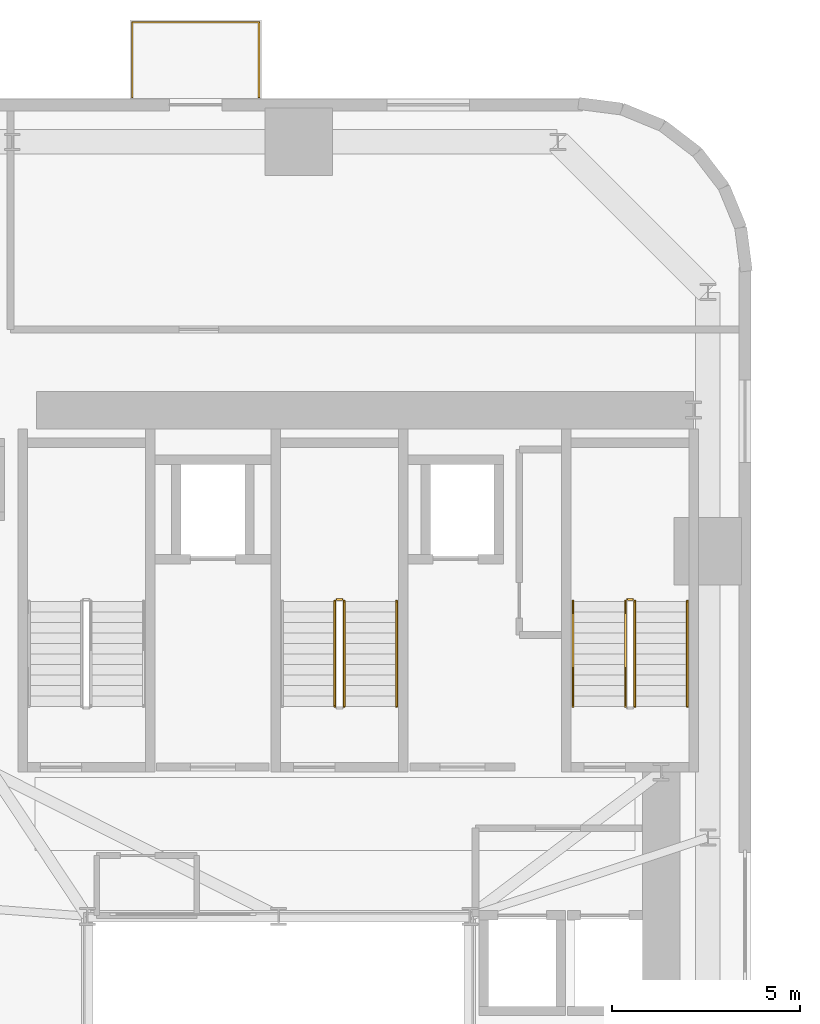
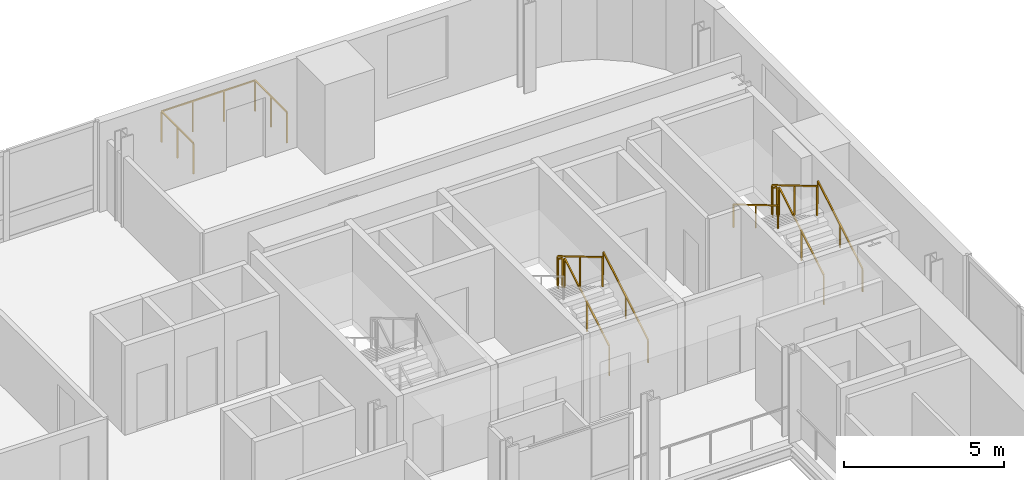
# One storey, part 13 of 13: 10 railings.
"""IFC4 building model written with IfcOpenShell, lengths in metres."""

from ifc_helpers import new_model, si_unit, direction, frame, origin, origin_2d, place, context, subcontext, project, spatial, rectangle, extrude, source, transform, mapped, material, type_object, element, save


model = new_model("IFC4")

# Units and contexts
model_context = context("Model", 3, precision=1e-05, world=origin(), true_north=direction((0.0, 1.0)))
body_context = subcontext(model_context, "Body", "Model", "MODEL_VIEW")
ifc_project = project(units=[si_unit("LENGTHUNIT", "METRE"), si_unit("AREAUNIT", "SQUARE_METRE"), si_unit("VOLUMEUNIT", "CUBIC_METRE"), si_unit("PLANEANGLEUNIT", "RADIAN"), si_unit("MASSUNIT", "GRAM", prefix="KILO")], contexts=[model_context])

# Site, building, storey
site_placement = place(None, origin())
site = spatial("IfcSite", under=ifc_project, at=site_placement, CompositionType="ELEMENT")
building_placement = place(site_placement, origin())
building = spatial("IfcBuilding", under=site, at=building_placement, Name="Vardaveli Station Tower", CompositionType="ELEMENT")
storey_placement = place(building_placement, frame((0.0, 0.0, 31.25)))
storey = spatial("IfcBuildingStorey", under=building, at=storey_placement, Name="L07", CompositionType="ELEMENT", Elevation=31.25)

# Railings
ifc_material_1 = material(Name="Laminated glass and stainless steel balustrade", Category="steel")
railing_type_1 = type_object("IfcRailingType", Name="RL-BAL-1200", PredefinedType="BALUSTRADE", material=ifc_material_1)
shared_shape_1 = source(origin(), body_context, "Body", "SweptSolid", [
    extrude(rectangle(XDim=0.048095703125, YDim=0.048095703125, at=origin_2d()), frame((0.0, 0.0, 1.17578125), z_axis=(0.0, 1.0, 0.0), x_axis=(-1.0, 0.0, 0.0)), (0.0, 0.0, 1.0), 2.0),
    extrude(rectangle(XDim=0.048095703125, YDim=0.048095703125, at=origin_2d()), frame((0.0, 2.0, 1.17578125), z_axis=(1.0, 0.0, 0.0), x_axis=(0.0, 1.0, 0.0)), (0.0, 0.0, 1.0), 3.3798828125),
    extrude(rectangle(XDim=0.048095703125, YDim=0.048095703125, at=origin_2d()), frame((3.3798828125, 2.0, 1.17578125), z_axis=(0.0, -1.0, 0.0), x_axis=(1.0, 0.0, 0.0)), (0.0, 0.0, 1.0), 2.0),
    extrude(rectangle(XDim=0.0419921875, YDim=0.0419921875, at=origin_2d()), origin(), (0.0, 0.0, 1.0), 1.15185546875),
    extrude(rectangle(XDim=0.0419921875, YDim=0.0419921875, at=origin_2d()), frame((0.0, 1.0, 0.0)), (0.0, 0.0, 1.0), 1.15185546875),
    extrude(rectangle(XDim=0.0419921875, YDim=0.0419921875, at=origin_2d()), frame((0.0, 2.0, 0.0)), (0.0, 0.0, 1.0), 1.15185546875),
    extrude(rectangle(XDim=0.0419921875, YDim=0.0419921875, at=origin_2d()), frame((1.126708984375, 2.0, 0.0)), (0.0, 0.0, 1.0), 1.15185546875),
    extrude(rectangle(XDim=0.0419921875, YDim=0.0419921875, at=origin_2d()), frame((2.253173828125, 2.0, 0.0)), (0.0, 0.0, 1.0), 1.15185546875),
    extrude(rectangle(XDim=0.0419921875, YDim=0.0419921875, at=origin_2d()), frame((3.3798828125, 2.0, 0.0)), (0.0, 0.0, 1.0), 1.15185546875),
    extrude(rectangle(XDim=0.0419921875, YDim=0.0419921875, at=origin_2d()), frame((3.3798828125, 1.0, 0.0)), (0.0, 0.0, 1.0), 1.15185546875),
    extrude(rectangle(XDim=0.0419921875, YDim=0.0419921875, at=origin_2d()), frame((3.3798828125, 0.0, 0.0)), (0.0, 0.0, 1.0), 1.15185546875),
])
railing_1_placement = place(storey_placement, frame((32.399658203125, 48.639892578125, 0.0)))
element("IfcRailing", 1, at=railing_1_placement, inside=storey, type_object=railing_type_1, Name="RL-LOG-L07-02", PredefinedType="BALUSTRADE", context=body_context, shape_type="MappedRepresentation", body=[
    mapped(shared_shape_1, transform((0.0, 0.0, 0.0), scale=1.0)),
])
ifc_material_2 = material(Name="Brushed AISI 316 stainless steel", Category="steel")
railing_type_2 = type_object("IfcRailingType", Name="RL-GUARD-1150", PredefinedType="GUARDRAIL", material=ifc_material_2)
shared_shape_2 = source(origin(), body_context, "Body", "SweptSolid", [
    extrude(rectangle(XDim=0.048095703125, YDim=0.048095703125, at=origin_2d()), frame((0.0, 0.0, 1.1259765625), z_axis=(-1.0, 0.0, 0.0), x_axis=(0.0, -1.0, 0.0)), (0.0, 0.0, 1.0), 0.14990234375),
    extrude(rectangle(XDim=0.0419921875, YDim=0.0419921875, at=origin_2d()), origin(), (0.0, 0.0, 1.0), 1.101806640625),
    extrude(rectangle(XDim=0.0419921875, YDim=0.0419921875, at=origin_2d()), frame((-0.14990234375, 0.0, 0.0)), (0.0, 0.0, 1.0), 1.101806640625),
])
for number, where, name in (
    (2, (38.0, 35.25, 1.824951171875), "L07 ST-2 stair guard 2"),
    (3, (45.75, 35.25, 1.824951171875), "L07 ST-3 stair guard 2"),
):
    element("IfcRailing", number, at=place(storey_placement, frame(where)), inside=storey, type_object=railing_type_2, Name=name, PredefinedType="GUARDRAIL", context=body_context, shape_type="MappedRepresentation", body=[
        mapped(shared_shape_2, transform((0.0, 0.0, 0.0), scale=1.0)),
    ])
shared_shape_3 = source(origin(), body_context, "Body", "SweptSolid", [
    extrude(rectangle(XDim=0.048095703125, YDim=0.048095703125, at=origin_2d()), frame((0.0, 0.0, 1.1259765625), z_axis=(0.0, 0.860339051648, 0.50972219513), x_axis=(-1.0, 0.0, 0.0)), (0.0, 0.0, 1.0), 3.254638671875),
    extrude(rectangle(XDim=0.0419921875, YDim=0.0419921875, at=origin_2d()), origin(), (0.0, 0.0, 1.0), 1.101806640625),
    extrude(rectangle(XDim=0.0419921875, YDim=0.0419921875, at=origin_2d()), frame((0.0, 1.39990234375, 0.82958984375)), (0.0, 0.0, 1.0), 1.101806640625),
    extrude(rectangle(XDim=0.0419921875, YDim=0.0419921875, at=origin_2d()), frame((0.0, 2.800048828125, 1.658935546875)), (0.0, 0.0, 1.0), 1.101806640625),
])
for number, where, name in (
    (4, (38.050048828125, 32.39990234375, 0.166015625), "L07 ST-2 stair guard 1"),
    (5, (45.800048828125, 32.39990234375, 0.166015625), "L07 ST-3 stair guard 1"),
):
    element("IfcRailing", number, at=place(storey_placement, frame(where)), inside=storey, type_object=railing_type_2, Name=name, PredefinedType="GUARDRAIL", context=body_context, shape_type="MappedRepresentation", body=[
        mapped(shared_shape_3, transform((0.0, 0.0, 0.0), scale=1.0)),
    ])
shared_shape_4 = source(origin(), body_context, "Body", "SweptSolid", [
    extrude(rectangle(XDim=0.048095703125, YDim=0.048095703125, at=origin_2d()), frame((0.0, 0.0, 1.1259765625), z_axis=(0.0, -0.860339051648, 0.50972219513), x_axis=(1.0, 0.0, 0.0)), (0.0, 0.0, 1.0), 3.254638671875),
    extrude(rectangle(XDim=0.0419921875, YDim=0.0419921875, at=origin_2d()), origin(), (0.0, 0.0, 1.0), 1.101806640625),
    extrude(rectangle(XDim=0.0419921875, YDim=0.0419921875, at=origin_2d()), frame((0.0, -1.39990234375, 0.82958984375)), (0.0, 0.0, 1.0), 1.101806640625),
    extrude(rectangle(XDim=0.0419921875, YDim=0.0419921875, at=origin_2d()), frame((0.0, -2.800048828125, 1.658935546875)), (0.0, 0.0, 1.0), 1.101806640625),
])
for number, where, name in (
    (6, (37.800048828125, 35.199951171875, 1.990966796875), "L07 ST-2 stair guard 3"),
    (7, (45.550048828125, 35.199951171875, 1.990966796875), "L07 ST-3 stair guard 3"),
):
    element("IfcRailing", number, at=place(storey_placement, frame(where)), inside=storey, type_object=railing_type_2, Name=name, PredefinedType="GUARDRAIL", context=body_context, shape_type="MappedRepresentation", body=[
        mapped(shared_shape_4, transform((0.0, 0.0, 0.0), scale=1.0)),
    ])
railing_type_3 = type_object("IfcRailingType", Name="RL-HAND-900", PredefinedType="HANDRAIL", material=ifc_material_2)
shared_shape_5 = source(origin(), body_context, "Body", "SweptSolid", [
    extrude(rectangle(XDim=0.048095703125, YDim=0.048095703125, at=origin_2d()), frame((0.0, 0.0, 0.8759765625), z_axis=(0.0, 0.860339051648, 0.50972219513), x_axis=(-1.0, 0.0, 0.0)), (0.0, 0.0, 1.0), 3.254638671875),
    extrude(rectangle(XDim=0.0419921875, YDim=0.0419921875, at=origin_2d()), origin(), (0.0, 0.0, 1.0), 0.851806640625),
    extrude(rectangle(XDim=0.0419921875, YDim=0.0419921875, at=origin_2d()), frame((0.0, 1.39990234375, 0.82958984375)), (0.0, 0.0, 1.0), 0.851806640625),
    extrude(rectangle(XDim=0.0419921875, YDim=0.0419921875, at=origin_2d()), frame((0.0, 2.800048828125, 1.658935546875)), (0.0, 0.0, 1.0), 0.851806640625),
])
for number, where, name in (
    (8, (39.449951171875, 32.39990234375, 0.166015625), "L07 ST-2 stair handrail 1"),
    (9, (47.199951171875, 32.39990234375, 0.166015625), "L07 ST-3 stair handrail 1"),
):
    element("IfcRailing", number, at=place(storey_placement, frame(where)), inside=storey, type_object=railing_type_3, Name=name, PredefinedType="HANDRAIL", context=body_context, shape_type="MappedRepresentation", body=[
        mapped(shared_shape_5, transform((0.0, 0.0, 0.0), scale=1.0)),
    ])
shared_shape_6 = source(origin(), body_context, "Body", "SweptSolid", [
    extrude(rectangle(XDim=0.048095703125, YDim=0.048095703125, at=origin_2d()), frame((0.0, 0.0, 0.8759765625), z_axis=(0.0, -0.860339051648, 0.50972219513), x_axis=(1.0, 0.0, 0.0)), (0.0, 0.0, 1.0), 3.254638671875),
    extrude(rectangle(XDim=0.0419921875, YDim=0.0419921875, at=origin_2d()), origin(), (0.0, 0.0, 1.0), 0.851806640625),
    extrude(rectangle(XDim=0.0419921875, YDim=0.0419921875, at=origin_2d()), frame((0.0, -1.39990234375, 0.82958984375)), (0.0, 0.0, 1.0), 0.851806640625),
    extrude(rectangle(XDim=0.0419921875, YDim=0.0419921875, at=origin_2d()), frame((0.0, -2.800048828125, 1.658935546875)), (0.0, 0.0, 1.0), 0.851806640625),
])
railing_2_placement = place(storey_placement, frame((44.14990234375, 35.199951171875, 1.990966796875)))
element("IfcRailing", 10, at=railing_2_placement, inside=storey, type_object=railing_type_3, Name="L07 ST-3 stair handrail 2", PredefinedType="HANDRAIL", context=body_context, shape_type="MappedRepresentation", body=[
    mapped(shared_shape_6, transform((0.0, 0.0, 0.0), scale=1.0)),
])

save(model, "model.ifc")
